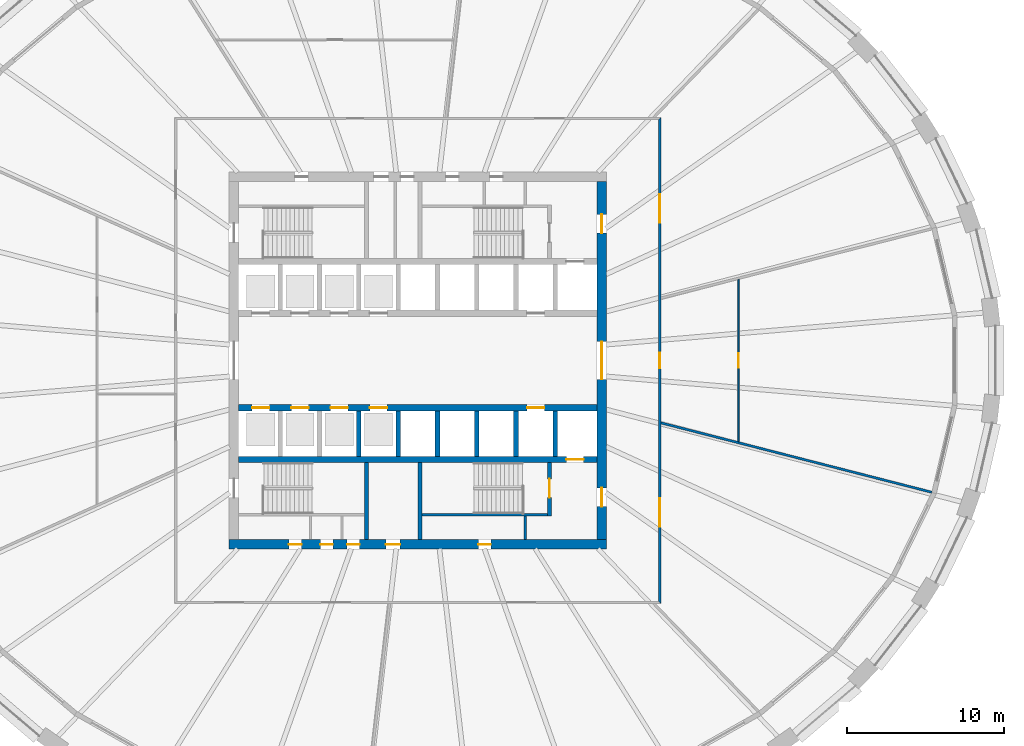
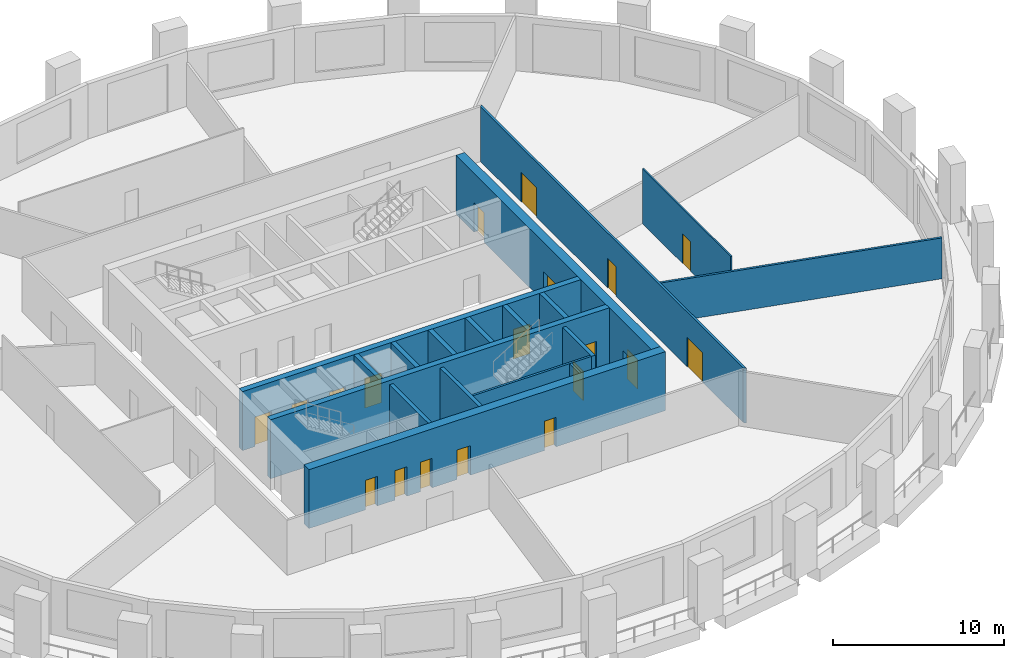
# One storey, part 4 of 10: 19 doors, 18 walls, 19 openings.
"""IFC4 building model written with IfcOpenShell, lengths in metres."""

from ifc_helpers import new_model, si_unit, direction, frame, frame_2d, origin, place, context, subcontext, project, spatial, polyline, rectangle, outline, extrude, material, layer, layer_set, type_object, element, fill, save


model = new_model("IFC4")

# Units and contexts
model_context = context("Model", 3, precision=1e-05, world=origin(), true_north=direction((0.0, 1.0)))
body_context = subcontext(model_context, "Body", "Model", "MODEL_VIEW")
ifc_project = project(units=[si_unit("LENGTHUNIT", "METRE"), si_unit("AREAUNIT", "SQUARE_METRE"), si_unit("VOLUMEUNIT", "CUBIC_METRE"), si_unit("PLANEANGLEUNIT", "RADIAN"), si_unit("MASSUNIT", "GRAM", prefix="KILO")], contexts=[model_context])

# Site, building, storey
site_placement = place(None, origin())
site = spatial("IfcSite", under=ifc_project, at=site_placement, CompositionType="ELEMENT")
building_placement = place(site_placement, origin())
building = spatial("IfcBuilding", under=site, at=building_placement, Name="Halqa Exchange Tower", CompositionType="ELEMENT")
storey_placement = place(building_placement, frame((0.0, 0.0, 69.699951171875)))
storey = spatial("IfcBuildingStorey", under=building, at=storey_placement, Name="L15", CompositionType="ELEMENT", Elevation=69.699951171875)

# Wall, openings, doors
ifc_material_1 = material(Name="Fire-rated gypsum board")
ifc_layer_1 = layer(ifc_material_1, 0.14990234375)
ifc_layer_set_1 = layer_set([ifc_layer_1], Name="Fire-rated gypsum board")
wall_type_1 = type_object("IfcWallType", Name="Fire partition EI 60 150", PredefinedType="PARTITIONING", material=ifc_layer_set_1)
wall_1_placement = place(storey_placement, frame((15.39990234375, -15.47509765625, 0.0), z_axis=(0.0, 0.0, 1.0), x_axis=(0.0, 1.0, 0.0)))
wall_1 = element("IfcWall", 1, at=wall_1_placement, inside=storey, type_object=wall_type_1, Name="L15-PWL-015", PredefinedType="PARTITIONING", context=body_context, shape_type="SweptSolid", body=[
    extrude(outline(polyline([(0.000244140625, -0.074951171875), (1.9345703125, -0.074951171875), (3.868896484375, -0.074951171875), (5.80322265625, -0.074951171875), (7.73779296875, -0.074951171875), (9.672119140625, -0.074951171875), (11.6064453125, -0.074951171875), (13.540771484375, -0.074951171875), (15.47509765625, -0.074951171875), (17.409423828125, -0.074951171875), (19.34375, -0.074951171875), (21.278076171875, -0.074951171875), (23.21240234375, -0.074951171875), (25.14697265625, -0.074951171875), (27.081298828125, -0.074951171875), (29.015625, -0.074951171875), (30.949951171875, -0.074951171875), (30.800048828125, 0.074951171875), (28.884521484375, 0.074951171875), (26.96875, 0.074951171875), (25.05322265625, 0.074951171875), (23.1376953125, 0.074951171875), (21.221923828125, 0.074951171875), (19.306396484375, 0.074951171875), (17.390625, 0.074951171875), (15.47509765625, 0.074951171875), (13.5595703125, 0.074951171875), (11.643798828125, 0.074951171875), (9.728271484375, 0.074951171875), (7.8125, 0.074951171875), (5.89697265625, 0.074951171875), (3.9814453125, 0.074951171875), (2.065673828125, 0.074951171875), (0.150146484375, 0.074951171875), (0.000244140625, -0.074951171875)])), origin(), (0.0, 0.0, 1.0), 3.900146484375),
])
opening_1_placement = place(wall_1_placement, frame((4.89990234375, 0.0, 0.0)))
opening_1 = element("IfcOpeningElement", 2, at=opening_1_placement, cuts=wall_1, Name="Opening 04-01", PredefinedType="OPENING", context=body_context, shape_type="SweptSolid", body=[
    extrude(rectangle(XDim=1.800048828125, YDim=2.10009765625, at=frame_2d((0.89990234375, 1.050048828125))), frame((0.0, 0.0869140625, 0.0), z_axis=(0.0, -1.0, 0.0), x_axis=(1.0, 0.0, 0.0)), (0.0, 0.0, 1.0), 0.173828125),
])
opening_2_placement = place(wall_1_placement, frame((14.97509765625, 0.0, 0.0)))
opening_2 = element("IfcOpeningElement", 3, at=opening_2_placement, cuts=wall_1, Name="Opening 04-02", PredefinedType="OPENING", context=body_context, shape_type="SweptSolid", body=[
    extrude(rectangle(XDim=1.0, YDim=2.10009765625, at=frame_2d((0.5, 1.050048828125))), frame((0.0, 0.0869140625, 0.0), z_axis=(0.0, -1.0, 0.0), x_axis=(1.0, 0.0, 0.0)), (0.0, 0.0, 1.0), 0.173828125),
])
opening_3_placement = place(wall_1_placement, frame((24.25, 0.0, 0.0)))
opening_3 = element("IfcOpeningElement", 4, at=opening_3_placement, cuts=wall_1, Name="Opening 04-03", PredefinedType="OPENING", context=body_context, shape_type="SweptSolid", body=[
    extrude(rectangle(XDim=1.800048828125, YDim=2.10009765625, at=frame_2d((0.89990234375, 1.050048828125))), frame((0.0, 0.0869140625, 0.0), z_axis=(0.0, -1.0, 0.0), x_axis=(1.0, 0.0, 0.0)), (0.0, 0.0, 1.0), 0.173828125),
])
ifc_material_2 = material(Name="Steel fire door leaf", Category="steel")
door_type_1 = type_object("IfcDoorType", Name="Fire door FD30S 1000 x 2100", OperationType="SINGLE_SWING_LEFT", PredefinedType="DOOR", material=ifc_material_2)
door_1_placement = place(opening_2_placement, frame((1.0, 0.0, 0.0), z_axis=(0.0, 0.0, 1.0), x_axis=(-1.0, 0.0, 0.0)))
door_1 = element("IfcDoor", 5, at=door_1_placement, inside=storey, type_object=door_type_1, Name="L15-IDR-002", OperationType="SINGLE_SWING_RIGHT", OverallHeight=2.10009765625, OverallWidth=1.0, PredefinedType="DOOR", context=body_context, shape_type="SweptSolid", body=[
    extrude(rectangle(XDim=1.0, YDim=2.10009765625, at=frame_2d((0.5, 1.050048828125))), frame((0.0, 0.02490234375, 0.0), z_axis=(0.0, -1.0, 0.0), x_axis=(1.0, 0.0, 0.0)), (0.0, 0.0, 1.0), 0.050048828125),
])
fill(opening_2, door_1)
door_type_2 = type_object("IfcDoorType", Name="Fire door FD30S double 1800 x 2100", OperationType="DOUBLE_DOOR_SINGLE_SWING", PredefinedType="DOOR", material=ifc_material_2)
door_2_placement = place(opening_1_placement, frame((1.800048828125, 0.0, 0.0), z_axis=(0.0, 0.0, 1.0), x_axis=(-1.0, 0.0, 0.0)))
door_2 = element("IfcDoor", 6, at=door_2_placement, inside=storey, type_object=door_type_2, Name="L15-IDR-001", OperationType="DOUBLE_DOOR_SINGLE_SWING", OverallHeight=2.10009765625, OverallWidth=1.800048828125, PredefinedType="DOOR", context=body_context, shape_type="SweptSolid", body=[
    extrude(rectangle(XDim=1.800048828125, YDim=2.10009765625, at=frame_2d((0.89990234375, 1.050048828125))), frame((0.0, 0.02490234375, 0.0), z_axis=(0.0, -1.0, 0.0), x_axis=(1.0, 0.0, 0.0)), (0.0, 0.0, 1.0), 0.050048828125),
])
fill(opening_1, door_2)
door_3_placement = place(opening_3_placement, frame((1.800048828125, 0.0, 0.0), z_axis=(0.0, 0.0, 1.0), x_axis=(-1.0, 0.0, 0.0)))
door_3 = element("IfcDoor", 7, at=door_3_placement, inside=storey, type_object=door_type_2, Name="L15-IDR-003", OperationType="DOUBLE_DOOR_SINGLE_SWING", OverallHeight=2.10009765625, OverallWidth=1.800048828125, PredefinedType="DOOR", context=body_context, shape_type="SweptSolid", body=[
    extrude(rectangle(XDim=1.800048828125, YDim=2.10009765625, at=frame_2d((0.89990234375, 1.050048828125))), frame((0.0, 0.02490234375, 0.0), z_axis=(0.0, -1.0, 0.0), x_axis=(1.0, 0.0, 0.0)), (0.0, 0.0, 1.0), 0.050048828125),
])
fill(opening_3, door_3)

# Wall
wall_2_placement = place(storey_placement, frame((15.456787109375, -3.964599609375, 0.0), z_axis=(0.0, 0.0, 1.0), x_axis=(0.968702688789, -0.248223892349, 0.0)))
element("IfcWall", 8, at=wall_2_placement, inside=storey, type_object=wall_type_1, Name="L15-PWL-016", PredefinedType="PARTITIONING", context=body_context, shape_type="SweptSolid", body=[
    extrude(outline(polyline([(0.0380859375, -0.074951171875), (2.01025390625, -0.074951171875), (3.982421875, -0.074951171875), (5.954833984375, -0.074951171875), (7.927001953125, -0.074951171875), (9.8994140625, -0.074951171875), (11.87158203125, -0.074951171875), (13.843994140625, -0.074951171875), (15.816162109375, -0.074951171875), (17.788330078125, -0.074951171875), (17.80126953125, -0.01318359375), (17.80126953125, 0.074951171875), (15.97802734375, 0.074951171875), (14.154541015625, 0.074951171875), (12.331298828125, 0.074951171875), (10.5078125, 0.074951171875), (8.6845703125, 0.074951171875), (6.861083984375, 0.074951171875), (5.037841796875, 0.074951171875), (5.032470703125, 0.073486328125), (5.031982421875, 0.074951171875), (3.354736328125, 0.074951171875), (1.67724609375, 0.074951171875), (0.0, 0.074951171875), (0.0, 0.073486328125), (0.0380859375, -0.074951171875)])), origin(), (0.0, 0.0, 1.0), 2.91015625),
])

# Wall, opening, door
ifc_material_3 = material(Name="Gypsum board")
ifc_layer_2 = layer(ifc_material_3, 0.10009765625)
ifc_layer_set_2 = layer_set([ifc_layer_2], Name="Gypsum board")
wall_type_2 = type_object("IfcWallType", Name="Partition 100 gypsum", PredefinedType="PARTITIONING", material=ifc_layer_set_2)
wall_3_placement = place(storey_placement, frame((20.39990234375, 5.1650390625, 0.0), z_axis=(0.0, 0.0, 1.0), x_axis=(0.0, -1.0, 0.0)))
wall_3 = element("IfcWall", 9, at=wall_3_placement, inside=storey, type_object=wall_type_2, Name="L15-PWL-018", PredefinedType="PARTITIONING", context=body_context, shape_type="SweptSolid", body=[
    extrude(outline(polyline([(0.025390625, -0.050048828125), (1.73876953125, -0.050048828125), (3.4521484375, -0.050048828125), (5.165771484375, -0.050048828125), (6.879150390625, -0.050048828125), (8.592529296875, -0.050048828125), (10.305908203125, -0.050048828125), (10.33154296875, 0.049560546875), (10.33154296875, 0.050048828125), (8.609619140625, 0.050048828125), (6.8876953125, 0.050048828125), (5.165771484375, 0.050048828125), (3.44384765625, 0.050048828125), (1.721923828125, 0.050048828125), (0.0, 0.050048828125), (0.0, 0.048828125), (0.025390625, -0.050048828125)])), origin(), (0.0, 0.0, 1.0), 3.900146484375),
])
opening_4_placement = place(wall_3_placement, frame((4.715087890625, 0.0, 0.0)))
opening_4 = element("IfcOpeningElement", 10, at=opening_4_placement, cuts=wall_3, Name="Opening 04-12", PredefinedType="OPENING", context=body_context, shape_type="SweptSolid", body=[
    extrude(rectangle(XDim=0.89990234375, YDim=2.10009765625, at=frame_2d((0.449951171875, 1.050048828125))), frame((0.0, 0.06201171875, 0.0), z_axis=(0.0, -1.0, 0.0), x_axis=(1.0, 0.0, 0.0)), (0.0, 0.0, 1.0), 0.1240234375),
])
ifc_material_4 = material(Name="Timber door leaf", Category="wood")
door_type_3 = type_object("IfcDoorType", Name="Door 900 x 2100", OperationType="SINGLE_SWING_LEFT", PredefinedType="DOOR", material=ifc_material_4)
door_4_placement = place(opening_4_placement, frame((0.89990234375, 0.0, 0.0), z_axis=(0.0, 0.0, 1.0), x_axis=(-1.0, 0.0, 0.0)))
door_4 = element("IfcDoor", 11, at=door_4_placement, inside=storey, type_object=door_type_3, Name="L15-IDR-012", OperationType="SINGLE_SWING_LEFT", OverallHeight=2.10009765625, OverallWidth=0.89990234375, PredefinedType="DOOR", context=body_context, shape_type="SweptSolid", body=[
    extrude(rectangle(XDim=0.89990234375, YDim=2.10009765625, at=frame_2d((0.449951171875, 1.050048828125))), frame((0.0, 0.02490234375, 0.0), z_axis=(0.0, -1.0, 0.0), x_axis=(1.0, 0.0, 0.0)), (0.0, 0.0, 1.0), 0.050048828125),
])
fill(opening_4, door_4)

# Walls
ifc_layer_3 = layer(ifc_material_3, 0.14990234375)
ifc_layer_set_3 = layer_set([ifc_layer_3], Name="Gypsum board")
wall_type_3 = type_object("IfcWallType", Name="Penthouse riser wall 150 gypsum", PredefinedType="PARTITIONING", material=ifc_layer_set_3)
wall_4_placement = place(storey_placement, frame((6.824951171875, -11.39990234375, 0.0), z_axis=(0.0, 0.0, 1.0), x_axis=(0.0, 1.0, 0.0)))
element("IfcWall", 12, at=wall_4_placement, inside=storey, type_object=wall_type_3, Name="Firefighting lobby west wall S", PredefinedType="PARTITIONING", context=body_context, shape_type="SweptSolid", body=[
    extrude(rectangle(XDim=1.5, YDim=0.14990234375, at=frame_2d((0.75, 0.0))), origin(), (0.0, 0.0, 1.0), 3.900146484375),
])
ifc_material_5 = material(Name="Concrete C60/75", Category="concrete")
ifc_layer_4 = layer(ifc_material_5, 0.300048828125)
ifc_layer_set_4 = layer_set([ifc_layer_4], Name="Concrete C60/75")
wall_type_4 = type_object("IfcWallType", Name="RC core wall 300", PredefinedType="SHEAR", material=ifc_layer_set_4)
for number, where, z_axis, x_axis, name in (
    (13, (-3.75, -6.10009765625, 0.0), (0.0, 0.0, 1.0), (0.0, 1.0, 0.0), "Shaft divider S3"),
    (14, (-1.25, -6.10009765625, 0.0), (0.0, 0.0, 1.0), (0.0, 1.0, 0.0), "Shaft divider S4"),
    (15, (1.25, -6.10009765625, 0.0), (0.0, 0.0, 1.0), (0.0, 1.0, 0.0), "Shaft divider S5"),
    (16, (3.75, -6.10009765625, 0.0), (0.0, 0.0, 1.0), (0.0, 1.0, 0.0), "Shaft divider S6"),
    (17, (6.25, -6.10009765625, 0.0), (0.0, 0.0, 1.0), (0.0, 1.0, 0.0), "Shaft divider S7"),
    (18, (8.75, -6.10009765625, 0.0), (0.0, 0.0, 1.0), (0.0, 1.0, 0.0), "Shaft divider S8"),
):
    element("IfcWall", number, at=place(storey_placement, frame(where, z_axis=z_axis, x_axis=x_axis)), inside=storey, type_object=wall_type_4, Name=name, PredefinedType="SHEAR", context=body_context, shape_type="SweptSolid", body=[
        extrude(rectangle(XDim=2.900146484375, YDim=0.300048828125, at=frame_2d((1.4501953125, 0.0))), origin(), (0.0, 0.0, 1.0), 4.199951171875),
    ])

# Wall, openings, doors
ifc_material_6 = material(Name="Concrete C80/95", Category="concrete")
ifc_layer_5 = layer(ifc_material_6, 0.39990234375)
ifc_layer_set_5 = layer_set([ifc_layer_5], Name="Concrete C80/95")
wall_type_5 = type_object("IfcWallType", Name="RC core wall 400 C80/95", PredefinedType="SHEAR", material=ifc_layer_set_5)
wall_5_placement = place(storey_placement, frame((-11.39990234375, -3.0, 0.0), z_axis=(0.0, 0.0, 1.0), x_axis=(1.0, 0.0, 0.0)))
wall_5 = element("IfcWall", 19, at=wall_5_placement, inside=storey, type_object=wall_type_5, Name="Lift row front wall S", PredefinedType="SHEAR", context=body_context, shape_type="SweptSolid", body=[
    extrude(rectangle(XDim=22.7998046875, YDim=0.39990234375, at=frame_2d((11.39990234375, 0.0))), origin(), (0.0, 0.0, 1.0), 4.199951171875),
])
opening_5_placement = place(wall_5_placement, frame((0.85009765625, 0.0, 0.0)))
opening_5 = element("IfcOpeningElement", 20, at=opening_5_placement, cuts=wall_5, Name="Opening LD-LR5-T04", PredefinedType="OPENING", context=body_context, shape_type="SweptSolid", body=[
    extrude(rectangle(XDim=1.10009765625, YDim=2.10009765625, at=frame_2d((0.550048828125, 1.050048828125))), frame((0.0, 0.2119140625, 0.0), z_axis=(0.0, -1.0, 0.0), x_axis=(1.0, 0.0, 0.0)), (0.0, 0.0, 1.0), 0.423828125),
])
opening_6_placement = place(wall_5_placement, frame((3.35009765625, 0.0, 0.0)))
opening_6 = element("IfcOpeningElement", 21, at=opening_6_placement, cuts=wall_5, Name="Opening LD-LR6-T04", PredefinedType="OPENING", context=body_context, shape_type="SweptSolid", body=[
    extrude(rectangle(XDim=1.10009765625, YDim=2.10009765625, at=frame_2d((0.550048828125, 1.050048828125))), frame((0.0, 0.2119140625, 0.0), z_axis=(0.0, -1.0, 0.0), x_axis=(1.0, 0.0, 0.0)), (0.0, 0.0, 1.0), 0.423828125),
])
opening_7_placement = place(wall_5_placement, frame((5.85009765625, 0.0, 0.0)))
opening_7 = element("IfcOpeningElement", 22, at=opening_7_placement, cuts=wall_5, Name="Opening LD-LR7-T04", PredefinedType="OPENING", context=body_context, shape_type="SweptSolid", body=[
    extrude(rectangle(XDim=1.10009765625, YDim=2.10009765625, at=frame_2d((0.550048828125, 1.050048828125))), frame((0.0, 0.2119140625, 0.0), z_axis=(0.0, -1.0, 0.0), x_axis=(1.0, 0.0, 0.0)), (0.0, 0.0, 1.0), 0.423828125),
])
opening_8_placement = place(wall_5_placement, frame((8.35009765625, 0.0, 0.0)))
opening_8 = element("IfcOpeningElement", 23, at=opening_8_placement, cuts=wall_5, Name="Opening LD-LR8-T04", PredefinedType="OPENING", context=body_context, shape_type="SweptSolid", body=[
    extrude(rectangle(XDim=1.10009765625, YDim=2.10009765625, at=frame_2d((0.550048828125, 1.050048828125))), frame((0.0, 0.2119140625, 0.0), z_axis=(0.0, -1.0, 0.0), x_axis=(1.0, 0.0, 0.0)), (0.0, 0.0, 1.0), 0.423828125),
])
opening_9_placement = place(wall_5_placement, frame((18.35009765625, 0.0, 0.0)))
opening_9 = element("IfcOpeningElement", 24, at=opening_9_placement, cuts=wall_5, Name="Opening LD-SV2-T04", PredefinedType="OPENING", context=body_context, shape_type="SweptSolid", body=[
    extrude(rectangle(XDim=1.10009765625, YDim=2.10009765625, at=frame_2d((0.550048828125, 1.050048828125))), frame((0.0, 0.2119140625, 0.0), z_axis=(0.0, -1.0, 0.0), x_axis=(1.0, 0.0, 0.0)), (0.0, 0.0, 1.0), 0.423828125),
])
ifc_material_7 = material(Name="Stainless steel", Category="steel")
door_type_4 = type_object("IfcDoorType", Name="Lift landing door 1100 x 2100", OperationType="SLIDING_TO_LEFT", PredefinedType="DOOR", material=ifc_material_7)
door_5_placement = place(opening_5_placement, origin())
door_5 = element("IfcDoor", 25, at=door_5_placement, inside=storey, type_object=door_type_4, Name="Lift landing door LR5", OperationType="SLIDING_TO_LEFT", OverallHeight=2.10009765625, OverallWidth=1.10009765625, PredefinedType="DOOR", context=body_context, shape_type="SweptSolid", body=[
    extrude(rectangle(XDim=1.10009765625, YDim=2.10009765625, at=frame_2d((0.550048828125, 1.050048828125))), frame((0.0, 0.02490234375, 0.0), z_axis=(0.0, -1.0, 0.0), x_axis=(1.0, 0.0, 0.0)), (0.0, 0.0, 1.0), 0.050048828125),
])
fill(opening_5, door_5)
door_6_placement = place(opening_6_placement, origin())
door_6 = element("IfcDoor", 26, at=door_6_placement, inside=storey, type_object=door_type_4, Name="Lift landing door LR6", OperationType="SLIDING_TO_LEFT", OverallHeight=2.10009765625, OverallWidth=1.10009765625, PredefinedType="DOOR", context=body_context, shape_type="SweptSolid", body=[
    extrude(rectangle(XDim=1.10009765625, YDim=2.10009765625, at=frame_2d((0.550048828125, 1.050048828125))), frame((0.0, 0.02490234375, 0.0), z_axis=(0.0, -1.0, 0.0), x_axis=(1.0, 0.0, 0.0)), (0.0, 0.0, 1.0), 0.050048828125),
])
fill(opening_6, door_6)
door_7_placement = place(opening_7_placement, origin())
door_7 = element("IfcDoor", 27, at=door_7_placement, inside=storey, type_object=door_type_4, Name="Lift landing door LR7", OperationType="SLIDING_TO_LEFT", OverallHeight=2.10009765625, OverallWidth=1.10009765625, PredefinedType="DOOR", context=body_context, shape_type="SweptSolid", body=[
    extrude(rectangle(XDim=1.10009765625, YDim=2.10009765625, at=frame_2d((0.550048828125, 1.050048828125))), frame((0.0, 0.02490234375, 0.0), z_axis=(0.0, -1.0, 0.0), x_axis=(1.0, 0.0, 0.0)), (0.0, 0.0, 1.0), 0.050048828125),
])
fill(opening_7, door_7)
door_8_placement = place(opening_8_placement, origin())
door_8 = element("IfcDoor", 28, at=door_8_placement, inside=storey, type_object=door_type_4, Name="Lift landing door LR8", OperationType="SLIDING_TO_LEFT", OverallHeight=2.10009765625, OverallWidth=1.10009765625, PredefinedType="DOOR", context=body_context, shape_type="SweptSolid", body=[
    extrude(rectangle(XDim=1.10009765625, YDim=2.10009765625, at=frame_2d((0.550048828125, 1.050048828125))), frame((0.0, 0.02490234375, 0.0), z_axis=(0.0, -1.0, 0.0), x_axis=(1.0, 0.0, 0.0)), (0.0, 0.0, 1.0), 0.050048828125),
])
fill(opening_8, door_8)
door_9_placement = place(opening_9_placement, origin())
door_9 = element("IfcDoor", 29, at=door_9_placement, inside=storey, type_object=door_type_4, Name="Lift landing door SV2", OperationType="SLIDING_TO_LEFT", OverallHeight=2.10009765625, OverallWidth=1.10009765625, PredefinedType="DOOR", context=body_context, shape_type="SweptSolid", body=[
    extrude(rectangle(XDim=1.10009765625, YDim=2.10009765625, at=frame_2d((0.550048828125, 1.050048828125))), frame((0.0, 0.02490234375, 0.0), z_axis=(0.0, -1.0, 0.0), x_axis=(1.0, 0.0, 0.0)), (0.0, 0.0, 1.0), 0.050048828125),
])
fill(opening_9, door_9)

# Wall, opening, door
wall_6_placement = place(storey_placement, frame((-11.39990234375, -6.300048828125, 0.0), z_axis=(0.0, 0.0, 1.0), x_axis=(1.0, 0.0, 0.0)))
wall_6 = element("IfcWall", 30, at=wall_6_placement, inside=storey, type_object=wall_type_5, Name="Lift row back wall S", PredefinedType="SHEAR", context=body_context, shape_type="SweptSolid", body=[
    extrude(rectangle(XDim=22.7998046875, YDim=0.39990234375, at=frame_2d((11.39990234375, 0.0))), origin(), (0.0, 0.0, 1.0), 4.199951171875),
])
opening_10_placement = place(wall_6_placement, frame((20.85009765625, 0.0, 0.0)))
opening_10 = element("IfcOpeningElement", 31, at=opening_10_placement, cuts=wall_6, Name="Opening LD-FF2-T04", PredefinedType="OPENING", context=body_context, shape_type="SweptSolid", body=[
    extrude(rectangle(XDim=1.10009765625, YDim=2.10009765625, at=frame_2d((0.550048828125, 1.050048828125))), frame((0.0, 0.2119140625, 0.0), z_axis=(0.0, -1.0, 0.0), x_axis=(1.0, 0.0, 0.0)), (0.0, 0.0, 1.0), 0.423828125),
])
door_10_placement = place(opening_10_placement, origin())
door_10 = element("IfcDoor", 32, at=door_10_placement, inside=storey, type_object=door_type_4, Name="Lift landing door FF2", OperationType="SLIDING_TO_LEFT", OverallHeight=2.10009765625, OverallWidth=1.10009765625, PredefinedType="DOOR", context=body_context, shape_type="SweptSolid", body=[
    extrude(rectangle(XDim=1.10009765625, YDim=2.10009765625, at=frame_2d((0.550048828125, 1.050048828125))), frame((0.0, 0.02490234375, 0.0), z_axis=(0.0, -1.0, 0.0), x_axis=(1.0, 0.0, 0.0)), (0.0, 0.0, 1.0), 0.050048828125),
])
fill(opening_10, door_10)

# Wall, openings, doors
ifc_layer_6 = layer(ifc_material_6, 0.60009765625)
ifc_layer_set_6 = layer_set([ifc_layer_6], Name="Concrete C80/95")
wall_type_6 = type_object("IfcWallType", Name="RC core wall 600 C80/95", PredefinedType="SHEAR", material=ifc_layer_set_6)
wall_7_placement = place(storey_placement, frame((-12.0, -11.699951171875, 0.0), z_axis=(0.0, 0.0, 1.0), x_axis=(1.0, 0.0, 0.0)))
wall_7 = element("IfcWall", 33, at=wall_7_placement, inside=storey, type_object=wall_type_6, Name="Core wall south", PredefinedType="SHEAR", context=body_context, shape_type="SweptSolid", body=[
    extrude(rectangle(XDim=24.0, YDim=0.60009765625, at=frame_2d((12.0, 0.0))), origin(), (0.0, 0.0, 1.0), 4.199951171875),
])
opening_11_placement = place(wall_7_placement, frame((9.97509765625, 0.0, 0.0)))
opening_11 = element("IfcOpeningElement", 34, at=opening_11_placement, cuts=wall_7, Name="Opening T04-C26", PredefinedType="OPENING", context=body_context, shape_type="SweptSolid", body=[
    extrude(rectangle(XDim=0.89990234375, YDim=2.10009765625, at=frame_2d((0.449951171875, 1.050048828125))), frame((0.0, 0.31201171875, 0.0), z_axis=(0.0, -1.0, 0.0), x_axis=(1.0, 0.0, 0.0)), (0.0, 0.0, 1.0), 0.6240234375),
])
opening_12_placement = place(wall_7_placement, frame((3.800048828125, 0.0, 0.0)))
opening_12 = element("IfcOpeningElement", 35, at=opening_12_placement, cuts=wall_7, Name="Opening T04-C27", PredefinedType="OPENING", context=body_context, shape_type="SweptSolid", body=[
    extrude(rectangle(XDim=0.800048828125, YDim=2.10009765625, at=frame_2d((0.39990234375, 1.050048828125))), frame((0.0, 0.31201171875, 0.0), z_axis=(0.0, -1.0, 0.0), x_axis=(1.0, 0.0, 0.0)), (0.0, 0.0, 1.0), 0.6240234375),
])
opening_13_placement = place(wall_7_placement, frame((5.800048828125, 0.0, 0.0)))
opening_13 = element("IfcOpeningElement", 36, at=opening_13_placement, cuts=wall_7, Name="Opening T04-C28", PredefinedType="OPENING", context=body_context, shape_type="SweptSolid", body=[
    extrude(rectangle(XDim=0.800048828125, YDim=2.10009765625, at=frame_2d((0.39990234375, 1.050048828125))), frame((0.0, 0.31201171875, 0.0), z_axis=(0.0, -1.0, 0.0), x_axis=(1.0, 0.0, 0.0)), (0.0, 0.0, 1.0), 0.6240234375),
])
opening_14_placement = place(wall_7_placement, frame((7.5, 0.0, 0.0)))
opening_14 = element("IfcOpeningElement", 37, at=opening_14_placement, cuts=wall_7, Name="Opening T04-C29", PredefinedType="OPENING", context=body_context, shape_type="SweptSolid", body=[
    extrude(rectangle(XDim=0.800048828125, YDim=2.10009765625, at=frame_2d((0.39990234375, 1.050048828125))), frame((0.0, 0.31201171875, 0.0), z_axis=(0.0, -1.0, 0.0), x_axis=(1.0, 0.0, 0.0)), (0.0, 0.0, 1.0), 0.6240234375),
])
opening_15_placement = place(wall_7_placement, frame((15.85009765625, 0.0, 0.0)))
opening_15 = element("IfcOpeningElement", 38, at=opening_15_placement, cuts=wall_7, Name="Opening T04-C30", PredefinedType="OPENING", context=body_context, shape_type="SweptSolid", body=[
    extrude(rectangle(XDim=0.800048828125, YDim=2.10009765625, at=frame_2d((0.39990234375, 1.050048828125))), frame((0.0, 0.31201171875, 0.0), z_axis=(0.0, -1.0, 0.0), x_axis=(1.0, 0.0, 0.0)), (0.0, 0.0, 1.0), 0.6240234375),
])
ifc_material_8 = material(Name="Timber fire door leaf", Category="wood")
door_type_5 = type_object("IfcDoorType", Name="Core room door FD30 900 x 2100", OperationType="SINGLE_SWING_LEFT", PredefinedType="DOOR", material=ifc_material_8)
door_11_placement = place(opening_11_placement, origin())
door_11 = element("IfcDoor", 39, at=door_11_placement, inside=storey, type_object=door_type_5, Name="Core room door", OperationType="SINGLE_SWING_LEFT", OverallHeight=2.10009765625, OverallWidth=0.89990234375, PredefinedType="DOOR", context=body_context, shape_type="SweptSolid", body=[
    extrude(rectangle(XDim=0.89990234375, YDim=2.10009765625, at=frame_2d((0.449951171875, 1.050048828125))), frame((0.0, 0.02490234375, 0.0), z_axis=(0.0, -1.0, 0.0), x_axis=(1.0, 0.0, 0.0)), (0.0, 0.0, 1.0), 0.050048828125),
])
fill(opening_11, door_11)
door_type_6 = type_object("IfcDoorType", Name="Riser door FD60 800 x 2100", OperationType="SINGLE_SWING_LEFT", PredefinedType="DOOR", material=ifc_material_2)
door_12_placement = place(opening_12_placement, origin())
door_12 = element("IfcDoor", 40, at=door_12_placement, inside=storey, type_object=door_type_6, Name="Core room door", OperationType="SINGLE_SWING_LEFT", OverallHeight=2.10009765625, OverallWidth=0.800048828125, PredefinedType="DOOR", context=body_context, shape_type="SweptSolid", body=[
    extrude(rectangle(XDim=0.800048828125, YDim=2.10009765625, at=frame_2d((0.39990234375, 1.050048828125))), frame((0.0, 0.02490234375, 0.0), z_axis=(0.0, -1.0, 0.0), x_axis=(1.0, 0.0, 0.0)), (0.0, 0.0, 1.0), 0.050048828125),
])
fill(opening_12, door_12)
door_13_placement = place(opening_13_placement, origin())
door_13 = element("IfcDoor", 41, at=door_13_placement, inside=storey, type_object=door_type_6, Name="Core room door", OperationType="SINGLE_SWING_RIGHT", OverallHeight=2.10009765625, OverallWidth=0.800048828125, PredefinedType="DOOR", context=body_context, shape_type="SweptSolid", body=[
    extrude(rectangle(XDim=0.800048828125, YDim=2.10009765625, at=frame_2d((0.39990234375, 1.050048828125))), frame((0.0, 0.02490234375, 0.0), z_axis=(0.0, -1.0, 0.0), x_axis=(1.0, 0.0, 0.0)), (0.0, 0.0, 1.0), 0.050048828125),
])
fill(opening_13, door_13)
door_14_placement = place(opening_14_placement, origin())
door_14 = element("IfcDoor", 42, at=door_14_placement, inside=storey, type_object=door_type_6, Name="Core room door", OperationType="SINGLE_SWING_RIGHT", OverallHeight=2.10009765625, OverallWidth=0.800048828125, PredefinedType="DOOR", context=body_context, shape_type="SweptSolid", body=[
    extrude(rectangle(XDim=0.800048828125, YDim=2.10009765625, at=frame_2d((0.39990234375, 1.050048828125))), frame((0.0, 0.02490234375, 0.0), z_axis=(0.0, -1.0, 0.0), x_axis=(1.0, 0.0, 0.0)), (0.0, 0.0, 1.0), 0.050048828125),
])
fill(opening_14, door_14)
door_15_placement = place(opening_15_placement, origin())
door_15 = element("IfcDoor", 43, at=door_15_placement, inside=storey, type_object=door_type_6, Name="Core room door", OperationType="SINGLE_SWING_LEFT", OverallHeight=2.10009765625, OverallWidth=0.800048828125, PredefinedType="DOOR", context=body_context, shape_type="SweptSolid", body=[
    extrude(rectangle(XDim=0.800048828125, YDim=2.10009765625, at=frame_2d((0.39990234375, 1.050048828125))), frame((0.0, 0.02490234375, 0.0), z_axis=(0.0, -1.0, 0.0), x_axis=(1.0, 0.0, 0.0)), (0.0, 0.0, 1.0), 0.050048828125),
])
fill(opening_15, door_15)

wall_8_placement = place(storey_placement, frame((11.699951171875, -11.39990234375, 0.0), z_axis=(0.0, 0.0, 1.0), x_axis=(0.0, 1.0, 0.0)))
wall_8 = element("IfcWall", 44, at=wall_8_placement, inside=storey, type_object=wall_type_6, Name="Core wall east", PredefinedType="SHEAR", context=body_context, shape_type="SweptSolid", body=[
    extrude(rectangle(XDim=22.7998046875, YDim=0.60009765625, at=frame_2d((11.39990234375, 0.0))), origin(), (0.0, 0.0, 1.0), 4.199951171875),
])
opening_16_placement = place(wall_8_placement, frame((10.199951171875, 0.0, 0.0)))
opening_16 = element("IfcOpeningElement", 45, at=opening_16_placement, cuts=wall_8, Name="Opening T04-C14", PredefinedType="OPENING", context=body_context, shape_type="SweptSolid", body=[
    extrude(rectangle(XDim=2.39990234375, YDim=2.10009765625, at=frame_2d((1.199951171875, 1.050048828125))), frame((0.0, 0.31201171875, 0.0), z_axis=(0.0, -1.0, 0.0), x_axis=(1.0, 0.0, 0.0)), (0.0, 0.0, 1.0), 0.6240234375),
])
opening_17_placement = place(wall_8_placement, frame((19.5, 0.0, 0.0)))
opening_17 = element("IfcOpeningElement", 46, at=opening_17_placement, cuts=wall_8, Name="Opening T04-C19", PredefinedType="OPENING", context=body_context, shape_type="SweptSolid", body=[
    extrude(rectangle(XDim=1.199951171875, YDim=2.10009765625, at=frame_2d((0.60009765625, 1.050048828125))), frame((0.0, 0.31201171875, 0.0), z_axis=(0.0, -1.0, 0.0), x_axis=(1.0, 0.0, 0.0)), (0.0, 0.0, 1.0), 0.6240234375),
])
opening_18_placement = place(wall_8_placement, frame((2.10009765625, 0.0, 0.0)))
opening_18 = element("IfcOpeningElement", 47, at=opening_18_placement, cuts=wall_8, Name="Opening T04-C20", PredefinedType="OPENING", context=body_context, shape_type="SweptSolid", body=[
    extrude(rectangle(XDim=1.199951171875, YDim=2.10009765625, at=frame_2d((0.60009765625, 1.050048828125))), frame((0.0, 0.31201171875, 0.0), z_axis=(0.0, -1.0, 0.0), x_axis=(1.0, 0.0, 0.0)), (0.0, 0.0, 1.0), 0.6240234375),
])
door_type_7 = type_object("IfcDoorType", Name="Firefighting lobby door FD90 1200 x 2100", OperationType="SINGLE_SWING_RIGHT", PredefinedType="DOOR", material=ifc_material_2)
door_16_placement = place(opening_17_placement, origin())
door_16 = element("IfcDoor", 48, at=door_16_placement, inside=storey, type_object=door_type_7, Name="Firefighting lobby door", OperationType="SINGLE_SWING_RIGHT", OverallHeight=2.10009765625, OverallWidth=1.199951171875, PredefinedType="DOOR", context=body_context, shape_type="SweptSolid", body=[
    extrude(rectangle(XDim=1.199951171875, YDim=2.10009765625, at=frame_2d((0.60009765625, 1.050048828125))), frame((0.0, 0.02490234375, 0.0), z_axis=(0.0, -1.0, 0.0), x_axis=(1.0, 0.0, 0.0)), (0.0, 0.0, 1.0), 0.050048828125),
])
fill(opening_17, door_16)
door_17_placement = place(opening_18_placement, origin())
door_17 = element("IfcDoor", 49, at=door_17_placement, inside=storey, type_object=door_type_7, Name="Firefighting lobby door", OperationType="SINGLE_SWING_LEFT", OverallHeight=2.10009765625, OverallWidth=1.199951171875, PredefinedType="DOOR", context=body_context, shape_type="SweptSolid", body=[
    extrude(rectangle(XDim=1.199951171875, YDim=2.10009765625, at=frame_2d((0.60009765625, 1.050048828125))), frame((0.0, 0.02490234375, 0.0), z_axis=(0.0, -1.0, 0.0), x_axis=(1.0, 0.0, 0.0)), (0.0, 0.0, 1.0), 0.050048828125),
])
fill(opening_18, door_17)
door_type_8 = type_object("IfcDoorType", Name="Lobby double door FD60 2400 x 2100", OperationType="DOUBLE_DOOR_SINGLE_SWING", PredefinedType="DOOR", material=ifc_material_2)
door_18_placement = place(opening_16_placement, origin())
door_18 = element("IfcDoor", 50, at=door_18_placement, inside=storey, type_object=door_type_8, Name="Lift lobby double door", OperationType="DOUBLE_DOOR_SINGLE_SWING", OverallHeight=2.10009765625, OverallWidth=2.39990234375, PredefinedType="DOOR", context=body_context, shape_type="SweptSolid", body=[
    extrude(rectangle(XDim=2.39990234375, YDim=2.10009765625, at=frame_2d((1.199951171875, 1.050048828125))), frame((0.0, 0.02490234375, 0.0), z_axis=(0.0, -1.0, 0.0), x_axis=(1.0, 0.0, 0.0)), (0.0, 0.0, 1.0), 0.050048828125),
])
fill(opening_16, door_18)

# Walls
ifc_material_9 = material(Name="Concrete C30/37", Category="concrete")
ifc_layer_7 = layer(ifc_material_9, 0.14990234375)
ifc_layer_set_7 = layer_set([ifc_layer_7], Name="Concrete C30/37")
wall_type_7 = type_object("IfcWallType", Name="RC stair wall 150 C30/37", PredefinedType="SHEAR", material=ifc_layer_set_7)
wall_9_placement = place(storey_placement, frame((0.25, -9.824951171875, 0.0), z_axis=(0.0, 0.0, 1.0), x_axis=(1.0, 0.0, 0.0)))
element("IfcWall", 51, at=wall_9_placement, inside=storey, type_object=wall_type_7, Name="Stair ST2 north wall S", PredefinedType="SHEAR", context=body_context, shape_type="SweptSolid", body=[
    extrude(rectangle(XDim=8.0, YDim=0.14990234375, at=frame_2d((4.0, 0.0))), origin(), (0.0, 0.0, 1.0), 3.900146484375),
])
ifc_layer_8 = layer(ifc_material_9, 0.25)
ifc_layer_set_8 = layer_set([ifc_layer_8], Name="Concrete C30/37")
wall_type_8 = type_object("IfcWallType", Name="RC stair wall 250 C30/37", PredefinedType="SHEAR", material=ifc_layer_set_8)
for number, where, z_axis, x_axis, name in (
    (52, (-3.27490234375, -11.39990234375, 0.0), (0.0, 0.0, 1.0), (0.0, 1.0, 0.0), "Stair ST1 east wall S"),
    (53, (0.125, -11.39990234375, 0.0), (0.0, 0.0, 1.0), (0.0, 1.0, 0.0), "Stair ST2 west wall S"),
):
    element("IfcWall", number, at=place(storey_placement, frame(where, z_axis=z_axis, x_axis=x_axis)), inside=storey, type_object=wall_type_8, Name=name, PredefinedType="SHEAR", context=body_context, shape_type="SweptSolid", body=[
        extrude(rectangle(XDim=4.89990234375, YDim=0.25, at=frame_2d((2.449951171875, 0.0))), origin(), (0.0, 0.0, 1.0), 3.900146484375),
    ])

# Wall, opening, door
wall_10_placement = place(storey_placement, frame((8.375, -9.89990234375, 0.0), z_axis=(0.0, 0.0, 1.0), x_axis=(0.0, 1.0, 0.0)))
wall_10 = element("IfcWall", 54, at=wall_10_placement, inside=storey, type_object=wall_type_8, Name="Stair ST2 east wall S", PredefinedType="SHEAR", context=body_context, shape_type="SweptSolid", body=[
    extrude(rectangle(XDim=3.39990234375, YDim=0.25, at=frame_2d((1.699951171875, 0.0))), origin(), (0.0, 0.0, 1.0), 3.900146484375),
])
opening_19_placement = place(wall_10_placement, frame((1.175048828125, 0.0, 0.0)))
opening_19 = element("IfcOpeningElement", 55, at=opening_19_placement, cuts=wall_10, Name="Opening T04-C18", PredefinedType="OPENING", context=body_context, shape_type="SweptSolid", body=[
    extrude(rectangle(XDim=1.199951171875, YDim=2.10009765625, at=frame_2d((0.60009765625, 1.050048828125))), frame((0.0, 0.136962890625, 0.0), z_axis=(0.0, -1.0, 0.0), x_axis=(1.0, 0.0, 0.0)), (0.0, 0.0, 1.0), 0.27392578125),
])
door_type_9 = type_object("IfcDoorType", Name="Stair door FD90 1200 x 2100", OperationType="SINGLE_SWING_LEFT", PredefinedType="DOOR", material=ifc_material_2)
door_19_placement = place(opening_19_placement, origin())
door_19 = element("IfcDoor", 56, at=door_19_placement, inside=storey, type_object=door_type_9, Name="Stair door ST4", OperationType="SINGLE_SWING_LEFT", OverallHeight=2.10009765625, OverallWidth=1.199951171875, PredefinedType="DOOR", context=body_context, shape_type="SweptSolid", body=[
    extrude(rectangle(XDim=1.199951171875, YDim=2.10009765625, at=frame_2d((0.60009765625, 1.050048828125))), frame((0.0, 0.02490234375, 0.0), z_axis=(0.0, -1.0, 0.0), x_axis=(1.0, 0.0, 0.0)), (0.0, 0.0, 1.0), 0.050048828125),
])
fill(opening_19, door_19)

save(model, "model.ifc")
